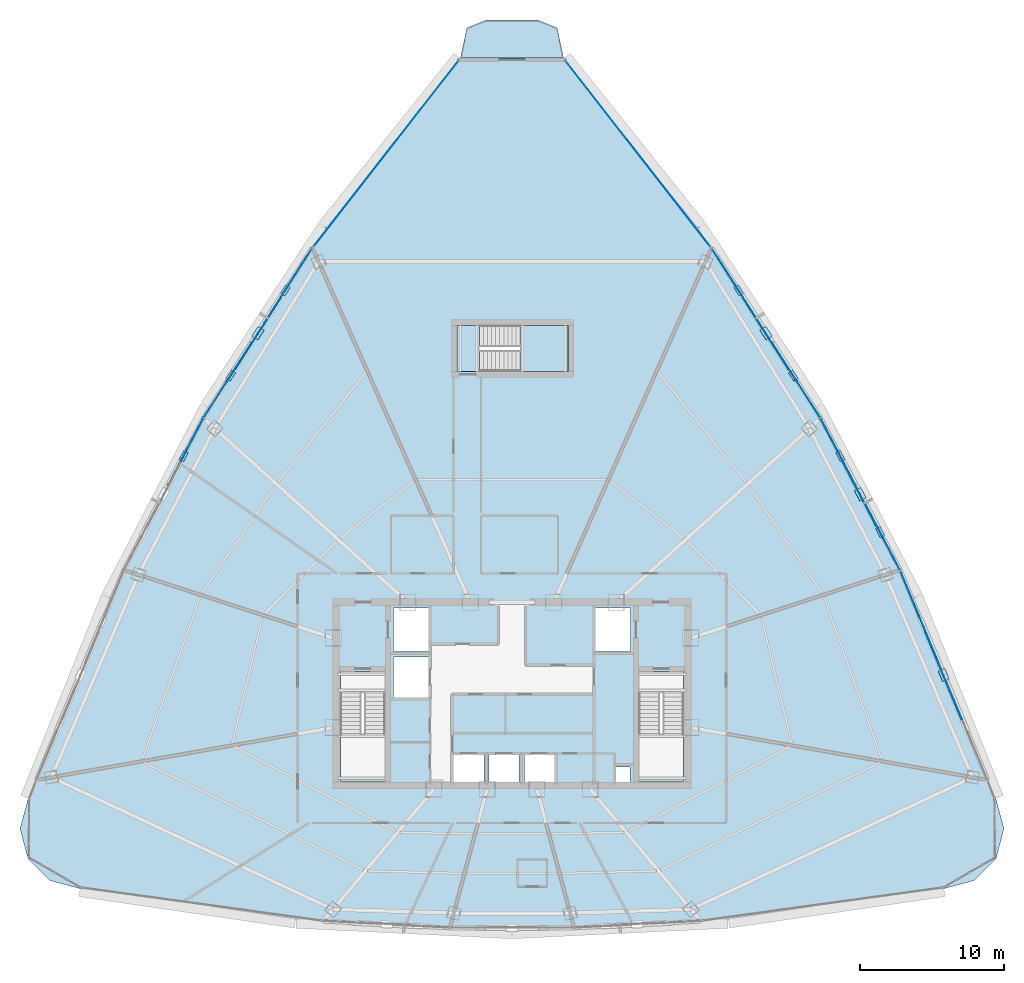
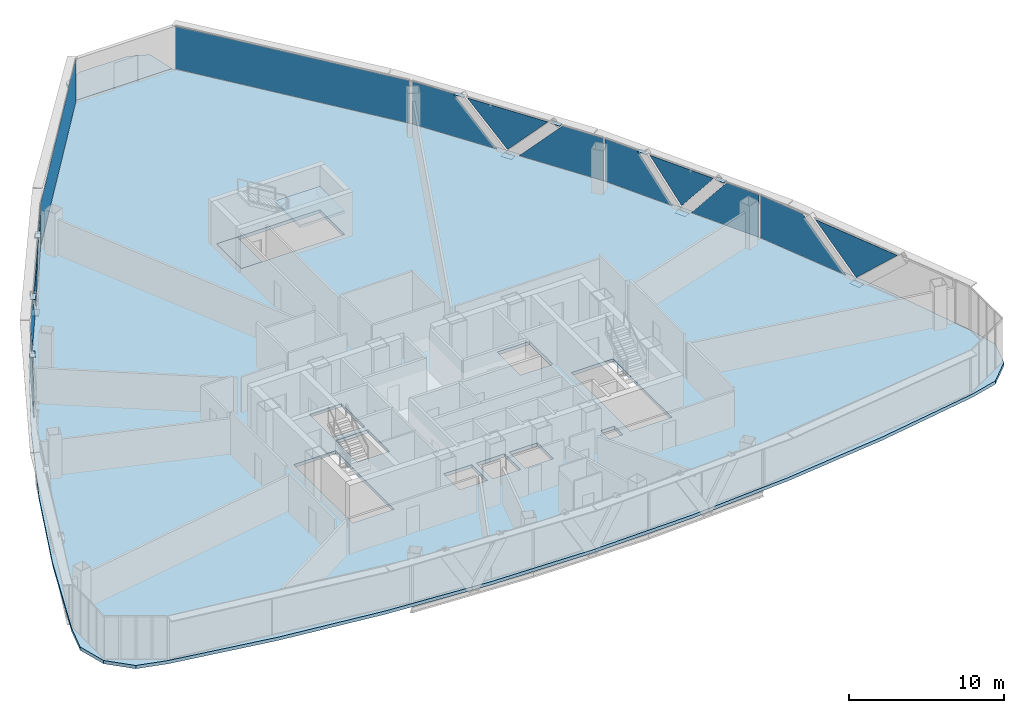
# One storey, part 28 of 36: 25 plates, 4 slabs, 8 elements without a shape of their own.
"""IFC4 building model written with IfcOpenShell, lengths in metres."""

from ifc_helpers import new_model, si_unit, direction, frame, origin, origin_2d, place, context, subcontext, project, spatial, polyline, rectangle, outline, extrude, source, transform, mapped, material, layer, layer_set, type_object, element, aggregate, save


model = new_model("IFC4")

# Units and contexts
model_context = context("Model", 3, precision=1e-05, world=origin(), true_north=direction((0.0, 1.0)))
body_context = subcontext(model_context, "Body", "Model", "MODEL_VIEW")
ifc_project = project(units=[si_unit("LENGTHUNIT", "METRE"), si_unit("AREAUNIT", "SQUARE_METRE"), si_unit("VOLUMEUNIT", "CUBIC_METRE"), si_unit("PLANEANGLEUNIT", "RADIAN"), si_unit("MASSUNIT", "GRAM", prefix="KILO"), si_unit("THERMODYNAMICTEMPERATUREUNIT", "KELVIN"), si_unit("POWERUNIT", "WATT")], contexts=[model_context])

# Site, building, storey
site_placement = place(None, origin())
site = spatial("IfcSite", under=ifc_project, at=site_placement, CompositionType="ELEMENT")
building_placement = place(site_placement, origin())
building = spatial("IfcBuilding", under=site, at=building_placement, Name="Yunzhuo Pagoda Commons", CompositionType="ELEMENT")
storey_placement = place(building_placement, frame((0.0, 0.0, 263.179931640625)))
storey = spatial("IfcBuildingStorey", under=building, at=storey_placement, Name="L66", CompositionType="ELEMENT", Elevation=263.179931640625)

# Curtain wall, plates
ifc_material_1 = material(Name="Anodized aluminium 6063-T6", Category="aluminium")
ifc_layer_1 = layer(ifc_material_1, 0.139892578125)
ifc_layer_set_1 = layer_set([ifc_layer_1], Name="Anodized aluminium 6063-T6")
curtain_wall_type = type_object("IfcCurtainWallType", Name="CW-HI High-Zone Ribbon Curtain Wall", PredefinedType="NOTDEFINED", material=ifc_layer_set_1)
curtain_wall_1_placement = place(storey_placement, origin())
curtain_wall_1 = element("IfcCurtainWall", 1, at=curtain_wall_1_placement, inside=storey, type_object=curtain_wall_type, Name="L66 curtain wall CW-L66-F2B2", PredefinedType="NOTDEFINED")
ifc_material_2 = material(Name="Tempered low-e double glazing", Category="glass")
ifc_layer_2 = layer(ifc_material_2, 0.02587890625)
ifc_layer_set_2 = layer_set([ifc_layer_2], Name="Tempered low-e double glazing")
plate_type_1 = type_object("IfcPlateType", Name="CW-HI-P Low-E Double Glazing 26", PredefinedType="CURTAIN_PANEL", material=ifc_layer_set_2)
plate_1_placement = place(storey_placement, frame((77.891845703125, 35.146240234375, 1.839111328125), z_axis=(0.922909845486, 0.385016125772, 0.0), x_axis=(-0.385016125772, 0.922909845486, 0.0)))
plate_1 = element("IfcPlate", 2, at=plate_1_placement, type_object=plate_type_1, Name="CW panel 1.1 lite 2", PredefinedType="CURTAIN_PANEL", context=body_context, shape_type="SweptSolid", body=[
    extrude(outline(polyline([(-3.3310546875, 1.575927734375), (0.0, -1.575927734375), (3.3310546875, 1.575927734375), (-3.3310546875, 1.575927734375)])), origin(), (0.0, 0.0, 1.0), 0.028076171875),
])
plate_2_placement = place(storey_placement, frame((76.242919921875, 39.177001953125, 1.735107421875), z_axis=(0.922909845486, 0.385016125772, 0.0), x_axis=(-0.385016125772, 0.922909845486, 0.0)))
plate_2 = element("IfcPlate", 3, at=plate_2_placement, type_object=plate_type_1, Name="CW panel 1.1 lite 3", PredefinedType="CURTAIN_PANEL", context=body_context, shape_type="SweptSolid", body=[
    extrude(outline(polyline([(-3.468994140625, -1.679931640625), (3.468994140625, -1.679931640625), (3.468994140625, 1.679931640625), (0.081787109375, 1.679931640625), (-3.468994140625, -1.679931640625)])), origin(), (0.0, 0.0, 1.0), 0.028076171875),
])
aggregate(curtain_wall_1, [plate_1, plate_2])

curtain_wall_2_placement = place(storey_placement, origin())
curtain_wall_2 = element("IfcCurtainWall", 4, at=curtain_wall_2_placement, inside=storey, type_object=curtain_wall_type, Name="L66 curtain wall CW-L66-F2B3", PredefinedType="NOTDEFINED")
plate_3_placement = place(storey_placement, frame((73.6650390625, 44.763671875, 1.735107421875), z_axis=(0.886066126675, 0.46355886267, 0.0), x_axis=(-0.46355886267, 0.886066126675, 0.0)))
plate_3 = element("IfcPlate", 5, at=plate_3_placement, type_object=plate_type_1, Name="CW panel 1.1 lite 1", PredefinedType="CURTAIN_PANEL", context=body_context, shape_type="SweptSolid", body=[
    extrude(outline(polyline([(-2.570556640625, -1.679931640625), (2.570556640625, -1.679931640625), (-0.103759765625, 1.679931640625), (-2.570556640625, 1.679931640625), (-2.570556640625, -1.679931640625)])), origin(), (0.0, 0.0, 1.0), 0.028076171875),
])
plate_4_placement = place(storey_placement, frame((72.105712890625, 47.679931640625, 1.882568359375), z_axis=(0.886066126675, 0.46355886267, 0.0), x_axis=(-0.46355886267, 0.886066126675, 0.0)))
plate_4 = element("IfcPlate", 6, at=plate_4_placement, type_object=plate_type_1, Name="CW panel 1.1 lite 2", PredefinedType="CURTAIN_PANEL", context=body_context, shape_type="SweptSolid", body=[
    extrude(outline(polyline([(-2.439453125, 1.532470703125), (0.0, -1.532470703125), (2.439453125, 1.532470703125), (-2.439453125, 1.532470703125)])), origin(), (0.0, 0.0, 1.0), 0.028076171875),
])
plate_5_placement = place(storey_placement, frame((70.599365234375, 50.624267578125, 1.735107421875), z_axis=(0.886066126675, 0.46355886267, 0.0), x_axis=(-0.46355886267, 0.886066126675, 0.0)))
plate_5 = element("IfcPlate", 7, at=plate_5_placement, type_object=plate_type_1, Name="CW panel 1.1 lite 3", PredefinedType="CURTAIN_PANEL", context=body_context, shape_type="SweptSolid", body=[
    extrude(outline(polyline([(-2.570556640625, -1.679931640625), (2.570556640625, -1.679931640625), (2.570556640625, 1.679931640625), (0.103759765625, 1.679931640625), (-2.570556640625, -1.679931640625)])), origin(), (0.0, 0.0, 1.0), 0.028076171875),
])
aggregate(curtain_wall_2, [plate_3, plate_4, plate_5])

curtain_wall_3_placement = place(storey_placement, origin())
curtain_wall_3 = element("IfcCurtainWall", 8, at=curtain_wall_3_placement, inside=storey, type_object=curtain_wall_type, Name="L66 curtain wall CW-L66-F2B4", PredefinedType="NOTDEFINED")
plate_6_placement = place(storey_placement, frame((67.695068359375, 55.58740234375, 1.735107421875), z_axis=(0.842255727545, 0.539078184884, 0.0), x_axis=(-0.539078184884, 0.842255727545, 0.0)))
plate_6 = element("IfcPlate", 9, at=plate_6_placement, type_object=plate_type_1, Name="CW panel 1.1 lite 1", PredefinedType="CURTAIN_PANEL", context=body_context, shape_type="SweptSolid", body=[
    extrude(outline(polyline([(-3.06640625, -1.679931640625), (3.06640625, -1.679931640625), (-0.091064453125, 1.679931640625), (-3.06640625, 1.679931640625), (-3.06640625, -1.679931640625)])), origin(), (0.0, 0.0, 1.0), 0.028076171875),
])
plate_7_placement = place(storey_placement, frame((65.575927734375, 58.8427734375, 1.85498046875), z_axis=(0.842255727545, 0.539078184884, 0.0), x_axis=(-0.539078184884, 0.842255727545, 0.0)))
plate_7 = element("IfcPlate", 10, at=plate_7_placement, type_object=plate_type_1, Name="CW panel 1.1 lite 2", PredefinedType="CURTAIN_PANEL", context=body_context, shape_type="SweptSolid", body=[
    extrude(outline(polyline([(-2.93212890625, 1.56005859375), (0.0, -1.56005859375), (2.93212890625, 1.56005859375), (-2.93212890625, 1.56005859375)])), origin(), (0.0, 0.0, 1.0), 0.028076171875),
])
plate_8_placement = place(storey_placement, frame((63.50732421875, 62.130126953125, 1.735107421875), z_axis=(0.842255727545, 0.539078184884, 0.0), x_axis=(-0.539078184884, 0.842255727545, 0.0)))
plate_8 = element("IfcPlate", 11, at=plate_8_placement, type_object=plate_type_1, Name="CW panel 1.1 lite 3", PredefinedType="CURTAIN_PANEL", context=body_context, shape_type="SweptSolid", body=[
    extrude(outline(polyline([(-3.06640625, -1.679931640625), (3.06640625, -1.679931640625), (3.06640625, 1.679931640625), (0.091064453125, 1.679931640625), (-3.06640625, -1.679931640625)])), origin(), (0.0, 0.0, 1.0), 0.028076171875),
])
aggregate(curtain_wall_3, [plate_6, plate_7, plate_8])

curtain_wall_4_placement = place(storey_placement, origin())
curtain_wall_4 = element("IfcCurtainWall", 12, at=curtain_wall_4_placement, inside=storey, type_object=curtain_wall_type, Name="L66 curtain wall CW-L66-F3B2", PredefinedType="NOTDEFINED")
plate_9_placement = place(storey_placement, frame((32.49267578125, 62.130126953125, 1.735107421875), z_axis=(-0.842255727545, 0.539078184884, 0.0), x_axis=(-0.539078184884, -0.842255727545, 0.0)))
plate_9 = element("IfcPlate", 13, at=plate_9_placement, type_object=plate_type_1, Name="CW panel 1.1 lite 1", PredefinedType="CURTAIN_PANEL", context=body_context, shape_type="SweptSolid", body=[
    extrude(outline(polyline([(-3.06640625, -1.679931640625), (3.06640625, -1.679931640625), (-0.091064453125, 1.679931640625), (-3.06640625, 1.679931640625), (-3.06640625, -1.679931640625)])), origin(), (0.0, 0.0, 1.0), 0.028076171875),
])
plate_10_placement = place(storey_placement, frame((30.424072265625, 58.8427734375, 1.85498046875), z_axis=(-0.842255727545, 0.539078184884, 0.0), x_axis=(-0.539078184884, -0.842255727545, 0.0)))
plate_10 = element("IfcPlate", 14, at=plate_10_placement, type_object=plate_type_1, Name="CW panel 1.1 lite 2", PredefinedType="CURTAIN_PANEL", context=body_context, shape_type="SweptSolid", body=[
    extrude(outline(polyline([(-2.93212890625, 1.56005859375), (0.0, -1.56005859375), (2.93212890625, 1.56005859375), (-2.93212890625, 1.56005859375)])), origin(), (0.0, 0.0, 1.0), 0.028076171875),
])
plate_11_placement = place(storey_placement, frame((28.304931640625, 55.58740234375, 1.735107421875), z_axis=(-0.842255727545, 0.539078184884, 0.0), x_axis=(-0.539078184884, -0.842255727545, 0.0)))
plate_11 = element("IfcPlate", 15, at=plate_11_placement, type_object=plate_type_1, Name="CW panel 1.1 lite 3", PredefinedType="CURTAIN_PANEL", context=body_context, shape_type="SweptSolid", body=[
    extrude(outline(polyline([(-3.06640625, -1.679931640625), (3.06640625, -1.679931640625), (3.06640625, 1.679931640625), (0.091064453125, 1.679931640625), (-3.06640625, -1.679931640625)])), origin(), (0.0, 0.0, 1.0), 0.028076171875),
])
aggregate(curtain_wall_4, [plate_9, plate_10, plate_11])

# Curtain wall, plate
curtain_wall_5_placement = place(storey_placement, origin())
curtain_wall_5 = element("IfcCurtainWall", 16, at=curtain_wall_5_placement, inside=storey, type_object=curtain_wall_type, Name="L66 curtain wall CW-L66-F3B3", PredefinedType="NOTDEFINED")
plate_12_placement = place(storey_placement, frame((25.400634765625, 50.624267578125, 1.735107421875), z_axis=(-0.886066126675, 0.46355886267, 0.0), x_axis=(-0.46355886267, -0.886066126675, 0.0)))
plate_12 = element("IfcPlate", 17, at=plate_12_placement, type_object=plate_type_1, Name="CW panel 1.1 lite 1", PredefinedType="CURTAIN_PANEL", context=body_context, shape_type="SweptSolid", body=[
    extrude(outline(polyline([(-2.570556640625, -1.679931640625), (2.570556640625, -1.679931640625), (-0.103759765625, 1.679931640625), (-2.570556640625, 1.679931640625), (-2.570556640625, -1.679931640625)])), origin(), (0.0, 0.0, 1.0), 0.028076171875),
])
aggregate(curtain_wall_5, [plate_12])

# Slab
ifc_material_3 = material(Name="Concrete C40", Category="concrete")
ifc_layer_3 = layer(ifc_material_3, 0.199951171875)
ifc_layer_set_3 = layer_set([ifc_layer_3], Name="Concrete C40")
slab_type_1 = type_object("IfcSlabType", Name="SL-BAL Vertex Balcony Deck Slab 200", PredefinedType="FLOOR", material=ifc_layer_set_3)
slab_1_placement = place(storey_placement, frame((0.0, 0.0, -0.199951171875)))
element("IfcSlab", 18, at=slab_1_placement, inside=storey, type_object=slab_type_1, Name="L66 corner balcony V3", PredefinedType="FLOOR", context=body_context, shape_type="SweptSolid", body=[
    extrude(outline(polyline([(51.579345703125, 77.929931640625), (44.420654296875, 77.929931640625), (44.87060546875, 80.02490234375), (46.210205078125, 80.574951171875), (49.789794921875, 80.574951171875), (51.12939453125, 80.02490234375), (51.579345703125, 77.929931640625)])), origin(), (0.0, 0.0, 1.0), 0.199951171875),
])

# Stair, slabs
stair_type = type_object("IfcStairType", Name="ST-C3 North Tower Smokeproof Stair ST3", PredefinedType="HALF_TURN_STAIR", material=ifc_material_3)
stair_placement = place(storey_placement, origin())
stair = element("IfcStair", 19, at=stair_placement, inside=storey, type_object=stair_type, Name="L66 North tower smokeproof stair ST3", PredefinedType="HALF_TURN_STAIR")
ifc_layer_4 = layer(ifc_material_3, 0.2041015625)
ifc_layer_set_4 = layer_set([ifc_layer_4], Name="Concrete C40")
slab_type_2 = type_object("IfcSlabType", Name="SL-LND5 North Landing Slab 204", PredefinedType="LANDING", material=ifc_layer_set_4)
slab_2_placement = place(storey_placement, frame((0.0, 0.0, 1.6650390625)))
slab_2 = element("IfcSlab", 20, at=slab_2_placement, type_object=slab_type_2, Name="ST3 landing 1", PredefinedType="LANDING", context=body_context, shape_type="SweptSolid", body=[
    extrude(outline(polyline([(48.550048828125, 56.199951171875), (51.89990234375, 56.199951171875), (51.89990234375, 59.39990234375), (48.550048828125, 59.39990234375), (48.550048828125, 56.199951171875)])), origin(), (0.0, 0.0, 1.0), 0.199951171875),
])
slab_3_placement = place(storey_placement, frame((0.0, 0.0, -0.199951171875)))
slab_3 = element("IfcSlab", 21, at=slab_3_placement, type_object=slab_type_2, Name="ST3 floor landing L66", PredefinedType="LANDING", context=body_context, shape_type="SweptSolid", body=[
    extrude(outline(polyline([(44.199951171875, 56.199951171875), (45.75, 56.199951171875), (45.75, 59.39990234375), (44.199951171875, 59.39990234375), (44.199951171875, 56.199951171875)])), origin(), (0.0, 0.0, 1.0), 0.199951171875),
])
aggregate(stair, [slab_2, slab_3])

# Slab
ifc_layer_5 = layer(ifc_material_3, 0.260009765625)
ifc_layer_set_5 = layer_set([ifc_layer_5], Name="Concrete C40")
slab_type_3 = type_object("IfcSlabType", Name="SL-TWR Typical Tower Floor Slab 260", PredefinedType="FLOOR", material=ifc_layer_set_5)
slab_4_placement = place(storey_placement, frame((0.0, 0.0, -0.260009765625)))
element("IfcSlab", 22, at=slab_4_placement, inside=storey, type_object=slab_type_3, Name="L66 structural floor slab", PredefinedType="FLOOR", context=body_context, shape_type="SweptSolid", body=[
    extrude(outline(polyline([(17.097412109375, 33.6484375), (20.056396484375, 40.52490234375), (23.329833984375, 47.2177734375), (26.91845703125, 53.726806640625), (30.82177734375, 60.052001953125), (35.039794921875, 66.193603515625), (39.57275390625, 72.151123046875), (44.420654296875, 77.925048828125), (51.579345703125, 77.925048828125), (56.42724609375, 72.151123046875), (60.960205078125, 66.193603515625), (65.17822265625, 60.052001953125), (69.08154296875, 53.726806640625), (72.670166015625, 47.2177734375), (75.943603515625, 40.52490234375), (78.902587890625, 33.6484375), (81.54638671875, 26.588134765625), (82.111572265625, 24.513671875), (81.561279296875, 22.43505859375), (80.043701171875, 20.912109375), (77.967041015625, 20.354248046875), (70.475341796875, 19.078369140625), (62.983642578125, 18.1669921875), (55.49169921875, 17.6201171875), (48.0, 17.437744140625), (40.50830078125, 17.6201171875), (33.0166015625, 18.1669921875), (25.524658203125, 19.078369140625), (18.032958984375, 20.354248046875), (15.956298828125, 20.912109375), (14.438720703125, 22.43505859375), (13.888427734375, 24.513671875), (14.45361328125, 26.588134765625), (17.097412109375, 33.6484375)]), holes=[polyline([(56.179931640625, 28.800048828125), (55.179931640625, 28.800048828125), (55.179931640625, 27.699951171875), (56.179931640625, 27.699951171875), (56.179931640625, 28.800048828125)]), polyline([(46.050048828125, 29.64990234375), (43.949951171875, 29.64990234375), (43.949951171875, 27.60009765625), (46.050048828125, 27.60009765625), (46.050048828125, 29.64990234375)]), polyline([(48.5, 29.64990234375), (46.39990234375, 29.64990234375), (46.39990234375, 27.60009765625), (48.5, 27.60009765625), (48.5, 29.64990234375)]), polyline([(50.949951171875, 27.60009765625), (50.949951171875, 29.64990234375), (48.85009765625, 29.64990234375), (48.85009765625, 27.60009765625), (50.949951171875, 27.60009765625)]), polyline([(36.10009765625, 27.800048828125), (39.199951171875, 27.800048828125), (39.199951171875, 35.39990234375), (36.10009765625, 35.39990234375), (36.10009765625, 27.800048828125)]), polyline([(59.89990234375, 27.800048828125), (59.89990234375, 35.39990234375), (56.800048828125, 35.39990234375), (56.800048828125, 27.800048828125), (59.89990234375, 27.800048828125)]), polyline([(42.199951171875, 36.39990234375), (39.800048828125, 36.39990234375), (39.800048828125, 33.60009765625), (42.199951171875, 33.60009765625), (42.199951171875, 36.39990234375)]), polyline([(42.199951171875, 39.800048828125), (39.800048828125, 39.800048828125), (39.800048828125, 36.800048828125), (42.199951171875, 36.800048828125), (42.199951171875, 39.800048828125)]), polyline([(56.199951171875, 36.800048828125), (56.199951171875, 39.800048828125), (53.800048828125, 39.800048828125), (53.800048828125, 36.800048828125), (56.199951171875, 36.800048828125)]), polyline([(51.89990234375, 56.199951171875), (51.89990234375, 59.39990234375), (44.199951171875, 59.39990234375), (44.199951171875, 56.199951171875), (51.89990234375, 56.199951171875)])]), origin(), (0.0, 0.0, 1.0), 0.260009765625),
])

# Plates
ifc_material_4 = material(Name="Structural steel Q355B", Category="steel")
ifc_layer_6 = layer(ifc_material_4, 0.028076171875)
ifc_layer_set_6 = layer_set([ifc_layer_6], Name="Structural steel Q355B")
plate_type_2 = type_object("IfcPlateType", Name="SP-ND1 Lattice Node Cap Plate 800x500x28", PredefinedType="USERDEFINED", material=ifc_layer_set_6)
shared_shape_1 = source(origin(), body_context, "Body", "SweptSolid", [
    extrude(rectangle(XDim=0.800048828125, YDim=0.5, at=origin_2d()), origin(), (0.0, 0.0, 1.0), 0.028076171875),
])
for number, where, z_axis, x_axis, name in (
    (23, (77.9326171875, 35.1630859375, -0.27392578125), (0.0, 0.0, 1.0), (-0.385020291668, 0.922908107562, 0.0), "L66 diamond node plate F2.1A"),
    (24, (72.14453125, 47.700439453125, -0.27392578125), (0.0, 0.0, 1.0), (-0.463558956618, 0.886066077524, 0.0), "L66 diamond node plate F2.2A"),
    (25, (65.61279296875, 58.866455078125, -0.27392578125), (0.0, 0.0, 1.0), (-0.539079523742, 0.842254870619, 0.0), "L66 diamond node plate F2.3A"),
    (26, (30.38720703125, 58.866455078125, -0.27392578125), (0.0, 0.0, 1.0), (-0.539079523742, -0.842254870619, 0.0), "L66 diamond node plate F3.1A"),
):
    element("IfcPlate", number, at=place(storey_placement, frame(where, z_axis=z_axis, x_axis=x_axis)), inside=storey, type_object=plate_type_2, Name=name, ObjectType="STIFFENER_PLATE", PredefinedType="USERDEFINED", context=body_context, shape_type="MappedRepresentation", body=[
        mapped(shared_shape_1, transform((0.0, 0.0, 0.0), scale=1.0)),
    ])
shared_shape_2 = source(origin(), body_context, "Body", "SweptSolid", [
    extrude(rectangle(XDim=0.699951171875, YDim=0.35009765625, at=origin_2d()), origin(), (0.0, 0.0, 1.0), 0.035888671875),
])
for number, where, z_axis, x_axis, name in (
    (27, (73.52099609375, 45.070068359375, 3.43212890625), (0.0, 0.0, 1.0), (-0.463558956618, 0.886066077524, 0.0), "L66 setback lattice tie plate F2.2L"),
    (28, (70.768310546875, 50.3310546875, 3.43212890625), (0.0, 0.0, 1.0), (-0.463558956618, 0.886066077524, 0.0), "L66 setback lattice tie plate F2.2R"),
    (29, (67.502685546875, 55.9140625, 3.43212890625), (0.0, 0.0, 1.0), (-0.539079523742, 0.842254870619, 0.0), "L66 setback lattice tie plate F2.3L"),
    (30, (63.723388671875, 61.81884765625, 3.43212890625), (0.0, 0.0, 1.0), (-0.539079523742, 0.842254870619, 0.0), "L66 setback lattice tie plate F2.3R"),
    (31, (32.276611328125, 61.81884765625, 3.43212890625), (0.0, 0.0, 1.0), (-0.539079523742, -0.842254870619, 0.0), "L66 setback lattice tie plate F3.1L"),
    (32, (28.497314453125, 55.9140625, 3.43212890625), (0.0, 0.0, 1.0), (-0.539079523742, -0.842254870619, 0.0), "L66 setback lattice tie plate F3.1R"),
    (33, (25.231689453125, 50.3310546875, 3.43212890625), (0.0, 0.0, 1.0), (-0.463558956618, -0.886066077524, 0.0), "L66 setback lattice tie plate F3.2L"),
):
    element("IfcPlate", number, at=place(storey_placement, frame(where, z_axis=z_axis, x_axis=x_axis)), inside=storey, type_object=plate_type_2, Name=name, ObjectType="STIFFENER_PLATE", PredefinedType="USERDEFINED", context=body_context, shape_type="MappedRepresentation", body=[
        mapped(shared_shape_2, transform((0.0, 0.0, 0.0), scale=1.0)),
    ])

# Curtain wall, plate
curtain_wall_6_placement = place(storey_placement, origin())
curtain_wall_6 = element("IfcCurtainWall", 34, at=curtain_wall_6_placement, inside=storey, type_object=curtain_wall_type, Name="L66 curtain wall CW-L66-F2B5", PredefinedType="NOTDEFINED")
shared_shape_3 = source(origin(), body_context, "Body", "SweptSolid", [
    extrude(rectangle(XDim=16.32275390625, YDim=0.028076171875, at=origin_2d()), origin(), (0.0, 0.0, 1.0), 3.360107421875),
])
plate_13_placement = place(storey_placement, frame((56.73095703125, 71.3125, 0.05517578125), z_axis=(0.0, 0.0, 1.0), x_axis=(-0.615060384235, 0.788480008462, 0.0)))
plate_13 = element("IfcPlate", 35, at=plate_13_placement, type_object=plate_type_1, Name="CW panel 1.1", PredefinedType="CURTAIN_PANEL", context=body_context, shape_type="MappedRepresentation", body=[
    mapped(shared_shape_3, transform((0.0, 0.0, 0.0), scale=1.0)),
])
aggregate(curtain_wall_6, [plate_13])

curtain_wall_7_placement = place(storey_placement, origin())
curtain_wall_7 = element("IfcCurtainWall", 36, at=curtain_wall_7_placement, inside=storey, type_object=curtain_wall_type, Name="L66 curtain wall CW-L66-F3B1", PredefinedType="NOTDEFINED")
plate_14_placement = place(storey_placement, frame((39.26904296875, 71.3125, 0.05517578125), z_axis=(0.0, 0.0, 1.0), x_axis=(-0.615060384235, -0.788480008462, 0.0)))
plate_14 = element("IfcPlate", 37, at=plate_14_placement, type_object=plate_type_1, Name="CW panel 1.1", PredefinedType="CURTAIN_PANEL", context=body_context, shape_type="MappedRepresentation", body=[
    mapped(shared_shape_3, transform((0.0, 0.0, 0.0), scale=1.0)),
])
aggregate(curtain_wall_7, [plate_14])

save(model, "model.ifc")
